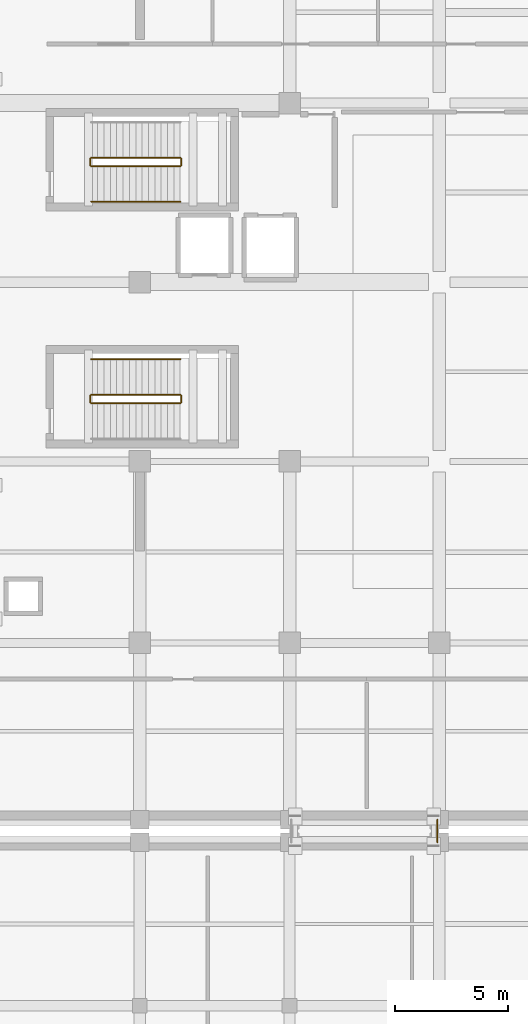
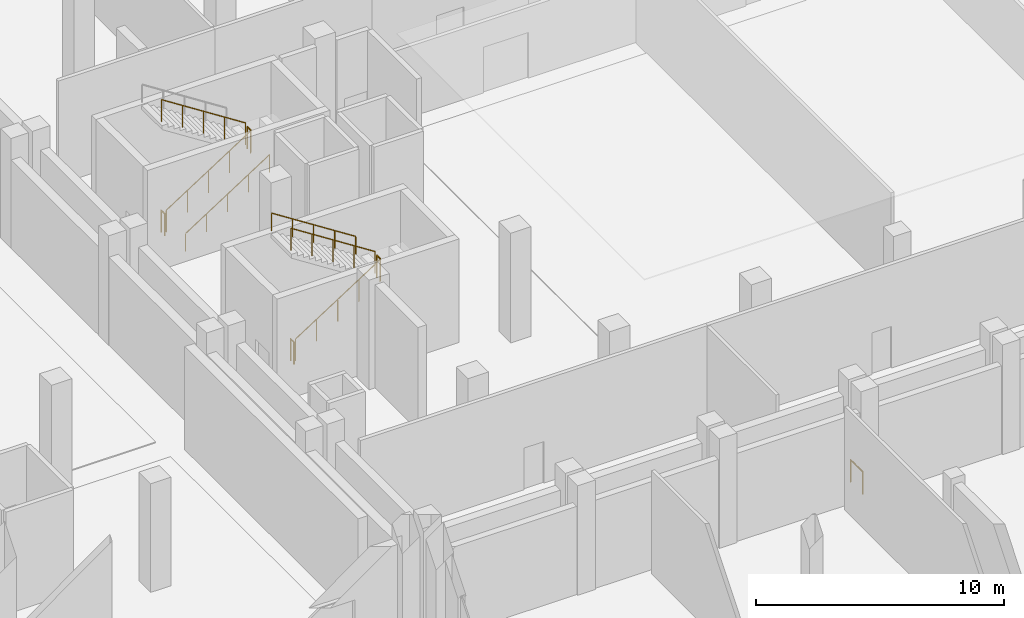
# One storey, part 73 of 79: 11 railings.
"""IFC4 building model written with IfcOpenShell, lengths in metres."""

from ifc_helpers import new_model, si_unit, direction, frame, origin, origin_2d, place, context, subcontext, project, spatial, circle, extrude, material, type_object, element, save


model = new_model("IFC4")

# Units and contexts
model_context = context("Model", 3, precision=1e-05, world=origin(), true_north=direction((0.0, 1.0)))
body_context = subcontext(model_context, "Body", "Model", "MODEL_VIEW")
ifc_project = project(units=[si_unit("LENGTHUNIT", "METRE"), si_unit("AREAUNIT", "SQUARE_METRE"), si_unit("VOLUMEUNIT", "CUBIC_METRE"), si_unit("PLANEANGLEUNIT", "RADIAN"), si_unit("MASSUNIT", "GRAM", prefix="KILO")], contexts=[model_context])

# Site, building, storey
site_placement = place(None, origin())
site = spatial("IfcSite", under=ifc_project, at=site_placement, CompositionType="ELEMENT")
building_placement = place(site_placement, origin())
building = spatial("IfcBuilding", under=site, at=building_placement, Name="Kelarvand Opera House", CompositionType="ELEMENT")
storey_placement = place(building_placement, origin())
storey = spatial("IfcBuildingStorey", under=building, at=storey_placement, Name="L00", CompositionType="ELEMENT", Elevation=0.0)

# Railings
ifc_material_1 = material(Name="Brushed bronze tubular rail")
railing_type_1 = type_object("IfcRailingType", Name="Brushed Bronze Stair Wall Handrail 900", PredefinedType="HANDRAIL", material=ifc_material_1)
railing_1_placement = place(storey_placement, frame((93.4599609375, 66.050048828125, 0.179931640625)))
element("IfcRailing", 1, at=railing_1_placement, inside=storey, type_object=railing_type_1, Name="L00 ST-01 stair handrail 1", PredefinedType="HANDRAIL", context=body_context, shape_type="SweptSolid", body=[
    extrude(circle(Radius=0.02392578125, at=origin_2d()), frame((0.0, 0.0, 0.8759765625), z_axis=(0.841171666519, 0.0, 0.540768182723), x_axis=(0.0, 1.0, 0.0)), (0.0, 0.0, 1.0), 4.66015625),
    extrude(circle(Radius=0.02099609375, at=origin_2d()), origin(), (0.0, 0.0, 1.0), 0.851806640625),
    extrude(circle(Radius=0.02099609375, at=origin_2d()), frame((0.97998046875, 0.0, 0.6298828125)), (0.0, 0.0, 1.0), 0.851806640625),
    extrude(circle(Radius=0.02099609375, at=origin_2d()), frame((1.9599609375, 0.0, 1.260009765625)), (0.0, 0.0, 1.0), 0.851806640625),
    extrude(circle(Radius=0.02099609375, at=origin_2d()), frame((2.93994140625, 0.0, 1.89013671875)), (0.0, 0.0, 1.0), 0.851806640625),
    extrude(circle(Radius=0.02099609375, at=origin_2d()), frame((3.919921875, 0.0, 2.52001953125)), (0.0, 0.0, 1.0), 0.851806640625),
])
railing_2_placement = place(storey_placement, frame((97.3798828125, 59.10009765625, 2.8798828125)))
element("IfcRailing", 2, at=railing_2_placement, inside=storey, type_object=railing_type_1, Name="L00 ST-04 stair handrail 2", PredefinedType="HANDRAIL", context=body_context, shape_type="SweptSolid", body=[
    extrude(circle(Radius=0.02392578125, at=origin_2d()), frame((0.0, 0.0, 0.8759765625), z_axis=(-0.841171666519, 0.0, 0.540768182723), x_axis=(0.0, -1.0, 0.0)), (0.0, 0.0, 1.0), 4.66015625),
    extrude(circle(Radius=0.02099609375, at=origin_2d()), origin(), (0.0, 0.0, 1.0), 0.851806640625),
    extrude(circle(Radius=0.02099609375, at=origin_2d()), frame((-0.97998046875, 0.0, 0.6298828125)), (0.0, 0.0, 1.0), 0.851806640625),
    extrude(circle(Radius=0.02099609375, at=origin_2d()), frame((-1.9599609375, 0.0, 1.260009765625)), (0.0, 0.0, 1.0), 0.851806640625),
    extrude(circle(Radius=0.02099609375, at=origin_2d()), frame((-2.93994140625, 0.0, 1.89013671875)), (0.0, 0.0, 1.0), 0.851806640625),
    extrude(circle(Radius=0.02099609375, at=origin_2d()), frame((-3.919921875, 0.0, 2.52001953125)), (0.0, 0.0, 1.0), 0.851806640625),
])
ifc_material_2 = material(Name="Laminated safety glass with bronze cap rail", Category="glass")
railing_type_2 = type_object("IfcRailingType", Name="Laminated Glass and Bronze Foyer Balustrade 1120", PredefinedType="BALUSTRADE", material=ifc_material_2)
railing_3_placement = place(storey_placement, frame((108.719970703125, 37.800048828125, 0.0)))
element("IfcRailing", 3, at=railing_3_placement, inside=storey, type_object=railing_type_2, Name="V1 L00 Balustrade 166", PredefinedType="BALUSTRADE", context=body_context, shape_type="SweptSolid", body=[
    extrude(circle(Radius=0.02392578125, at=origin_2d()), frame((0.0, 0.0, 1.09619140625), z_axis=(0.0, 1.0, 0.0), x_axis=(-1.0, 0.0, 0.0)), (0.0, 0.0, 1.0), 1.0),
    extrude(circle(Radius=0.02099609375, at=origin_2d()), origin(), (0.0, 0.0, 1.0), 1.072021484375),
    extrude(circle(Radius=0.02099609375, at=origin_2d()), frame((0.0, 1.0, 0.0)), (0.0, 0.0, 1.0), 1.072021484375),
])
ifc_material_3 = material(Name="Powder-coated Steel S355", Category="steel")
railing_type_3 = type_object("IfcRailingType", Name="Painted Steel Stair and Void Guardrail 1100", PredefinedType="GUARDRAIL", material=ifc_material_3)
railing_4_placement = place(storey_placement, frame((93.4599609375, 67.610107421875, 0.179931640625)))
element("IfcRailing", 4, at=railing_4_placement, inside=storey, type_object=railing_type_3, Name="L00 ST-01 stair guard 1", PredefinedType="GUARDRAIL", context=body_context, shape_type="SweptSolid", body=[
    extrude(circle(Radius=0.02392578125, at=origin_2d()), frame((0.0, 0.0, 1.076171875), z_axis=(0.841171666519, 0.0, 0.540768182723), x_axis=(0.0, 1.0, 0.0)), (0.0, 0.0, 1.0), 4.66015625),
    extrude(circle(Radius=0.02099609375, at=origin_2d()), origin(), (0.0, 0.0, 1.0), 1.052001953125),
    extrude(circle(Radius=0.02099609375, at=origin_2d()), frame((0.97998046875, 0.0, 0.6298828125)), (0.0, 0.0, 1.0), 1.052001953125),
    extrude(circle(Radius=0.02099609375, at=origin_2d()), frame((1.9599609375, 0.0, 1.260009765625)), (0.0, 0.0, 1.0), 1.052001953125),
    extrude(circle(Radius=0.02099609375, at=origin_2d()), frame((2.93994140625, 0.0, 1.89013671875)), (0.0, 0.0, 1.0), 1.052001953125),
    extrude(circle(Radius=0.02099609375, at=origin_2d()), frame((3.919921875, 0.0, 2.52001953125)), (0.0, 0.0, 1.0), 1.052001953125),
])
railing_5_placement = place(storey_placement, frame((97.429931640625, 67.659912109375, 2.699951171875)))
element("IfcRailing", 5, at=railing_5_placement, inside=storey, type_object=railing_type_3, Name="L00 ST-01 stair guard 2", PredefinedType="GUARDRAIL", context=body_context, shape_type="SweptSolid", body=[
    extrude(circle(Radius=0.02392578125, at=origin_2d()), frame((0.0, 0.0, 1.076171875), z_axis=(0.0, 1.0, 0.0), x_axis=(-1.0, 0.0, 0.0)), (0.0, 0.0, 1.0), 0.280029296875),
    extrude(circle(Radius=0.02099609375, at=origin_2d()), origin(), (0.0, 0.0, 1.0), 1.052001953125),
    extrude(circle(Radius=0.02099609375, at=origin_2d()), frame((0.0, 0.280029296875, 0.0)), (0.0, 0.0, 1.0), 1.052001953125),
])
railing_6_placement = place(storey_placement, frame((97.3798828125, 67.989990234375, 2.8798828125)))
element("IfcRailing", 6, at=railing_6_placement, inside=storey, type_object=railing_type_3, Name="L00 ST-01 stair guard 3", PredefinedType="GUARDRAIL", context=body_context, shape_type="SweptSolid", body=[
    extrude(circle(Radius=0.02392578125, at=origin_2d()), frame((0.0, 0.0, 1.076171875), z_axis=(-0.841171666519, 0.0, 0.540768182723), x_axis=(0.0, -1.0, 0.0)), (0.0, 0.0, 1.0), 4.66015625),
    extrude(circle(Radius=0.02099609375, at=origin_2d()), origin(), (0.0, 0.0, 1.0), 1.052001953125),
    extrude(circle(Radius=0.02099609375, at=origin_2d()), frame((-0.97998046875, 0.0, 0.6298828125)), (0.0, 0.0, 1.0), 1.052001953125),
    extrude(circle(Radius=0.02099609375, at=origin_2d()), frame((-1.9599609375, 0.0, 1.260009765625)), (0.0, 0.0, 1.0), 1.052001953125),
    extrude(circle(Radius=0.02099609375, at=origin_2d()), frame((-2.93994140625, 0.0, 1.89013671875)), (0.0, 0.0, 1.0), 1.052001953125),
    extrude(circle(Radius=0.02099609375, at=origin_2d()), frame((-3.919921875, 0.0, 2.52001953125)), (0.0, 0.0, 1.0), 1.052001953125),
])
railing_7_placement = place(storey_placement, frame((93.409912109375, 67.659912109375, 0.0)))
element("IfcRailing", 7, at=railing_7_placement, inside=storey, type_object=railing_type_3, Name="L00 ST-01 stair guard 4", PredefinedType="GUARDRAIL", context=body_context, shape_type="SweptSolid", body=[
    extrude(circle(Radius=0.02392578125, at=origin_2d()), frame((0.0, 0.0, 1.076171875), z_axis=(0.0, 1.0, 0.0), x_axis=(-1.0, 0.0, 0.0)), (0.0, 0.0, 1.0), 0.280029296875),
    extrude(circle(Radius=0.02099609375, at=origin_2d()), origin(), (0.0, 0.0, 1.0), 1.052001953125),
    extrude(circle(Radius=0.02099609375, at=origin_2d()), frame((0.0, 0.280029296875, 0.0)), (0.0, 0.0, 1.0), 1.052001953125),
])
railing_8_placement = place(storey_placement, frame((93.4599609375, 57.159912109375, 0.179931640625)))
element("IfcRailing", 8, at=railing_8_placement, inside=storey, type_object=railing_type_3, Name="L00 ST-04 stair guard 1", PredefinedType="GUARDRAIL", context=body_context, shape_type="SweptSolid", body=[
    extrude(circle(Radius=0.02392578125, at=origin_2d()), frame((0.0, 0.0, 1.076171875), z_axis=(0.841171666519, 0.0, 0.540768182723), x_axis=(0.0, 1.0, 0.0)), (0.0, 0.0, 1.0), 4.66015625),
    extrude(circle(Radius=0.02099609375, at=origin_2d()), origin(), (0.0, 0.0, 1.0), 1.052001953125),
    extrude(circle(Radius=0.02099609375, at=origin_2d()), frame((0.97998046875, 0.0, 0.6298828125)), (0.0, 0.0, 1.0), 1.052001953125),
    extrude(circle(Radius=0.02099609375, at=origin_2d()), frame((1.9599609375, 0.0, 1.260009765625)), (0.0, 0.0, 1.0), 1.052001953125),
    extrude(circle(Radius=0.02099609375, at=origin_2d()), frame((2.93994140625, 0.0, 1.89013671875)), (0.0, 0.0, 1.0), 1.052001953125),
    extrude(circle(Radius=0.02099609375, at=origin_2d()), frame((3.919921875, 0.0, 2.52001953125)), (0.0, 0.0, 1.0), 1.052001953125),
])
railing_9_placement = place(storey_placement, frame((97.429931640625, 57.2099609375, 2.699951171875)))
element("IfcRailing", 9, at=railing_9_placement, inside=storey, type_object=railing_type_3, Name="L00 ST-04 stair guard 2", PredefinedType="GUARDRAIL", context=body_context, shape_type="SweptSolid", body=[
    extrude(circle(Radius=0.02392578125, at=origin_2d()), frame((0.0, 0.0, 1.076171875), z_axis=(0.0, 1.0, 0.0), x_axis=(-1.0, 0.0, 0.0)), (0.0, 0.0, 1.0), 0.280029296875),
    extrude(circle(Radius=0.02099609375, at=origin_2d()), origin(), (0.0, 0.0, 1.0), 1.052001953125),
    extrude(circle(Radius=0.02099609375, at=origin_2d()), frame((0.0, 0.280029296875, 0.0)), (0.0, 0.0, 1.0), 1.052001953125),
])
railing_10_placement = place(storey_placement, frame((97.3798828125, 57.5400390625, 2.8798828125)))
element("IfcRailing", 10, at=railing_10_placement, inside=storey, type_object=railing_type_3, Name="L00 ST-04 stair guard 3", PredefinedType="GUARDRAIL", context=body_context, shape_type="SweptSolid", body=[
    extrude(circle(Radius=0.02392578125, at=origin_2d()), frame((0.0, 0.0, 1.076171875), z_axis=(-0.841171666519, 0.0, 0.540768182723), x_axis=(0.0, -1.0, 0.0)), (0.0, 0.0, 1.0), 4.66015625),
    extrude(circle(Radius=0.02099609375, at=origin_2d()), origin(), (0.0, 0.0, 1.0), 1.052001953125),
    extrude(circle(Radius=0.02099609375, at=origin_2d()), frame((-0.97998046875, 0.0, 0.6298828125)), (0.0, 0.0, 1.0), 1.052001953125),
    extrude(circle(Radius=0.02099609375, at=origin_2d()), frame((-1.9599609375, 0.0, 1.260009765625)), (0.0, 0.0, 1.0), 1.052001953125),
    extrude(circle(Radius=0.02099609375, at=origin_2d()), frame((-2.93994140625, 0.0, 1.89013671875)), (0.0, 0.0, 1.0), 1.052001953125),
    extrude(circle(Radius=0.02099609375, at=origin_2d()), frame((-3.919921875, 0.0, 2.52001953125)), (0.0, 0.0, 1.0), 1.052001953125),
])
railing_11_placement = place(storey_placement, frame((93.409912109375, 57.2099609375, 0.0)))
element("IfcRailing", 11, at=railing_11_placement, inside=storey, type_object=railing_type_3, Name="L00 ST-04 stair guard 4", PredefinedType="GUARDRAIL", context=body_context, shape_type="SweptSolid", body=[
    extrude(circle(Radius=0.02392578125, at=origin_2d()), frame((0.0, 0.0, 1.076171875), z_axis=(0.0, 1.0, 0.0), x_axis=(-1.0, 0.0, 0.0)), (0.0, 0.0, 1.0), 0.280029296875),
    extrude(circle(Radius=0.02099609375, at=origin_2d()), origin(), (0.0, 0.0, 1.0), 1.052001953125),
    extrude(circle(Radius=0.02099609375, at=origin_2d()), frame((0.0, 0.280029296875, 0.0)), (0.0, 0.0, 1.0), 1.052001953125),
])

save(model, "model.ifc")
